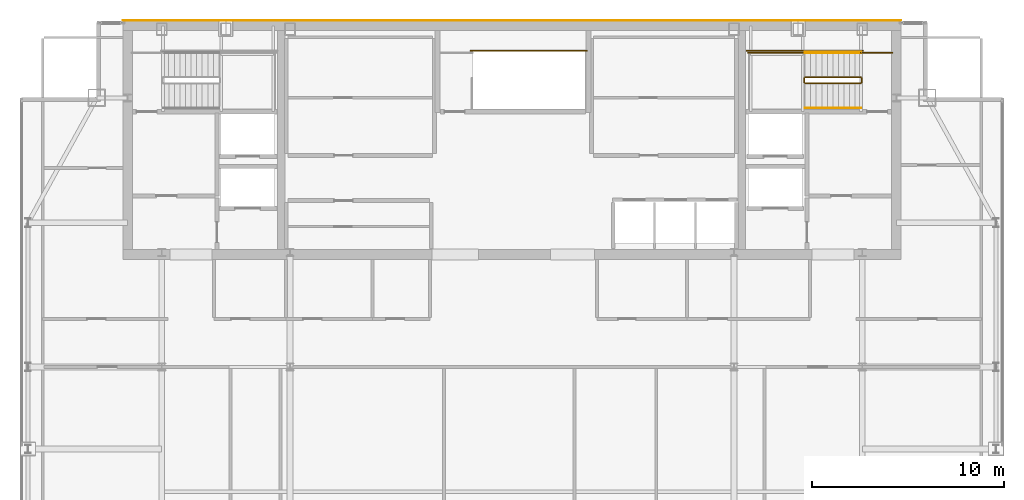
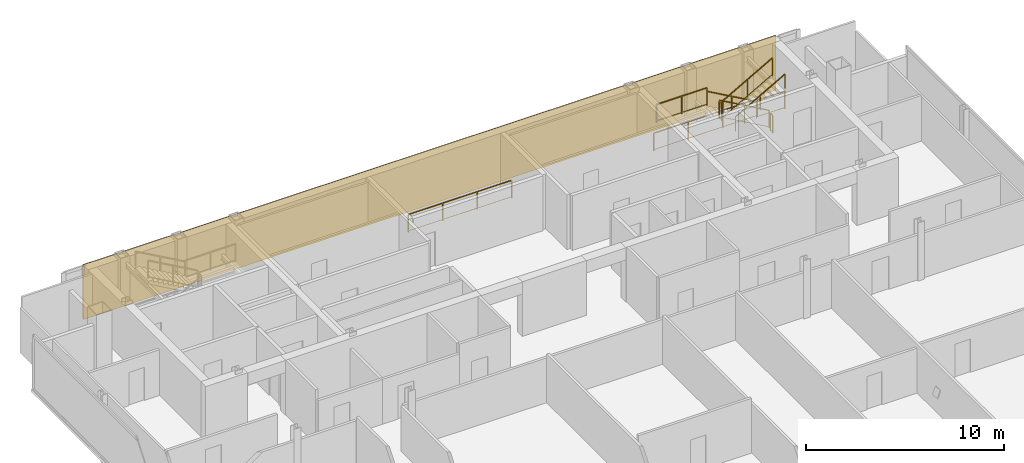
# One storey, part 24 of 24: 10 railings, 1 covering.
"""IFC4 building model written with IfcOpenShell, lengths in metres."""

from ifc_helpers import new_model, si_unit, direction, frame, origin, origin_2d, place, context, subcontext, project, spatial, polyline, rectangle, outline, extrude, material, layer, layer_set, type_object, element, save


model = new_model("IFC4")

# Units and contexts
model_context = context("Model", 3, precision=1e-05, world=origin(), true_north=direction((0.0, 1.0)))
body_context = subcontext(model_context, "Body", "Model", "MODEL_VIEW")
ifc_project = project(units=[si_unit("LENGTHUNIT", "METRE"), si_unit("AREAUNIT", "SQUARE_METRE"), si_unit("VOLUMEUNIT", "CUBIC_METRE"), si_unit("PLANEANGLEUNIT", "RADIAN"), si_unit("MASSUNIT", "GRAM", prefix="KILO")], contexts=[model_context])

# Site, building, storey
site_placement = place(None, origin())
site = spatial("IfcSite", under=ifc_project, at=site_placement, CompositionType="ELEMENT")
building_placement = place(site_placement, origin())
building = spatial("IfcBuilding", under=site, at=building_placement, Name="Khoronbel Lancet Exchange", CompositionType="ELEMENT")
storey_placement = place(building_placement, frame((0.0, 0.0, 347.0)))
storey = spatial("IfcBuildingStorey", under=building, at=storey_placement, Name="L90", CompositionType="ELEMENT", Elevation=347.0)

# Covering
ifc_material_1 = material(Name="Honed Egyptian Limestone & Bronze Rainscreen", Category="masonry")
ifc_layer = layer(ifc_material_1, 0.050048828125, Name="Honed Egyptian Limestone & Bronze Rainscreen")
ifc_layer_set = layer_set([ifc_layer], Name="Honed Egyptian Limestone & Bronze Rainscreen")
covering_type = type_object("IfcCoveringType", Name="COV-CLAD1", PredefinedType="CLADDING", material=ifc_layer_set)
covering_placement = place(storey_placement, origin())
element("IfcCovering", 1, at=covering_placement, inside=storey, type_object=covering_type, Name="Level L90 north rear-core stone and bronze rainscreen cladding", PredefinedType="CLADDING", context=body_context, shape_type="SweptSolid", body=[
    extrude(outline(polyline([(16.199951171875, 53.699951171875), (56.699951171875, 53.699951171875), (56.699951171875, 53.75), (16.199951171875, 53.75), (16.199951171875, 53.699951171875)])), origin(), (0.0, 0.0, 1.0), 3.3798828125),
])

# Railings
ifc_material_2 = material(Name="Painted Steel Balustrade", Category="steel")
railing_type_1 = type_object("IfcRailingType", Name="RL-STG110", PredefinedType="GUARDRAIL", material=ifc_material_2)
railing_1_placement = place(storey_placement, frame((54.60009765625, 50.77001953125, 0.16357421875)))
element("IfcRailing", 2, at=railing_1_placement, inside=storey, type_object=railing_type_1, Name="L90 ST2 stair guard 1", PredefinedType="GUARDRAIL", context=body_context, shape_type="SweptSolid", body=[
    extrude(rectangle(XDim=0.048095703125, YDim=0.048095703125, at=origin_2d()), frame((0.0, 0.0, 1.09619140625), z_axis=(-0.870914908162, 0.0, 0.491433843708), x_axis=(0.0, -1.0, 0.0)), (0.0, 0.0, 1.0), 3.330078125),
    extrude(rectangle(XDim=0.02392578125, YDim=0.02392578125, at=origin_2d()), frame((0.0, 0.0, 0.080078125), z_axis=(-0.870914908162, 0.0, 0.491433843708), x_axis=(0.0, -1.0, 0.0)), (0.0, 0.0, 1.0), 3.330078125),
    extrude(rectangle(XDim=0.0419921875, YDim=0.0419921875, at=origin_2d()), origin(), (0.0, 0.0, 1.0), 1.072021484375),
    extrude(rectangle(XDim=0.0419921875, YDim=0.0419921875, at=origin_2d()), frame((-1.4501953125, 0.0, 0.818359375)), (0.0, 0.0, 1.0), 1.072021484375),
    extrude(rectangle(XDim=0.0419921875, YDim=0.0419921875, at=origin_2d()), frame((-2.900146484375, 0.0, 1.636474609375)), (0.0, 0.0, 1.0), 1.072021484375),
])
railing_2_placement = place(storey_placement, frame((51.64990234375, 50.719970703125, 1.800048828125)))
element("IfcRailing", 3, at=railing_2_placement, inside=storey, type_object=railing_type_1, Name="L90 ST2 stair guard 2", PredefinedType="GUARDRAIL", context=body_context, shape_type="SweptSolid", body=[
    extrude(rectangle(XDim=0.048095703125, YDim=0.048095703125, at=origin_2d()), frame((0.0, 0.0, 1.09619140625), z_axis=(0.0, -1.0, 0.0), x_axis=(1.0, 0.0, 0.0)), (0.0, 0.0, 1.0), 0.219970703125),
    extrude(rectangle(XDim=0.02392578125, YDim=0.02392578125, at=origin_2d()), frame((0.0, 0.0, 0.080078125), z_axis=(0.0, -1.0, 0.0), x_axis=(1.0, 0.0, 0.0)), (0.0, 0.0, 1.0), 0.219970703125),
    extrude(rectangle(XDim=0.0419921875, YDim=0.0419921875, at=origin_2d()), origin(), (0.0, 0.0, 1.0), 1.072021484375),
    extrude(rectangle(XDim=0.0419921875, YDim=0.0419921875, at=origin_2d()), frame((0.0, -0.219970703125, 0.0)), (0.0, 0.0, 1.0), 1.072021484375),
])
railing_3_placement = place(storey_placement, frame((51.699951171875, 52.050048828125, 1.800048828125)))
element("IfcRailing", 4, at=railing_3_placement, inside=storey, type_object=railing_type_1, Name="L90 ST2 stair guard 3", PredefinedType="GUARDRAIL", context=body_context, shape_type="SweptSolid", body=[
    extrude(rectangle(XDim=0.048095703125, YDim=0.048095703125, at=origin_2d()), frame((0.0, 0.0, 1.09619140625), z_axis=(-1.0, 0.0, 0.0), x_axis=(0.0, -1.0, 0.0)), (0.0, 0.0, 1.0), 2.949951171875),
    extrude(rectangle(XDim=0.02392578125, YDim=0.02392578125, at=origin_2d()), frame((0.0, 0.0, 0.080078125), z_axis=(-1.0, 0.0, 0.0), x_axis=(0.0, -1.0, 0.0)), (0.0, 0.0, 1.0), 2.949951171875),
    extrude(rectangle(XDim=0.0419921875, YDim=0.0419921875, at=origin_2d()), origin(), (0.0, 0.0, 1.0), 1.072021484375),
    extrude(rectangle(XDim=0.0419921875, YDim=0.0419921875, at=origin_2d()), frame((-1.47509765625, 0.0, 0.0)), (0.0, 0.0, 1.0), 1.072021484375),
    extrude(rectangle(XDim=0.0419921875, YDim=0.0419921875, at=origin_2d()), frame((-2.949951171875, 0.0, 0.0)), (0.0, 0.0, 1.0), 1.072021484375),
])
railing_4_placement = place(storey_placement, frame((51.699951171875, 50.449951171875, 1.963623046875)))
element("IfcRailing", 5, at=railing_4_placement, inside=storey, type_object=railing_type_1, Name="L90 ST2 stair guard 4", PredefinedType="GUARDRAIL", context=body_context, shape_type="SweptSolid", body=[
    extrude(rectangle(XDim=0.048095703125, YDim=0.048095703125, at=origin_2d()), frame((0.0, 0.0, 1.09619140625), z_axis=(0.870914908162, 0.0, 0.491433843708), x_axis=(0.0, 1.0, 0.0)), (0.0, 0.0, 1.0), 3.330078125),
    extrude(rectangle(XDim=0.02392578125, YDim=0.02392578125, at=origin_2d()), frame((0.0, 0.0, 0.080078125), z_axis=(0.870914908162, 0.0, 0.491433843708), x_axis=(0.0, 1.0, 0.0)), (0.0, 0.0, 1.0), 3.330078125),
    extrude(rectangle(XDim=0.0419921875, YDim=0.0419921875, at=origin_2d()), origin(), (0.0, 0.0, 1.0), 1.072021484375),
    extrude(rectangle(XDim=0.0419921875, YDim=0.0419921875, at=origin_2d()), frame((1.4501953125, 0.0, 0.818359375)), (0.0, 0.0, 1.0), 1.072021484375),
    extrude(rectangle(XDim=0.0419921875, YDim=0.0419921875, at=origin_2d()), frame((2.900146484375, 0.0, 1.636474609375)), (0.0, 0.0, 1.0), 1.072021484375),
])
railing_5_placement = place(storey_placement, frame((54.64990234375, 50.719970703125, 0.0)))
element("IfcRailing", 6, at=railing_5_placement, inside=storey, type_object=railing_type_1, Name="L90 ST2 stair guard 5", PredefinedType="GUARDRAIL", context=body_context, shape_type="SweptSolid", body=[
    extrude(rectangle(XDim=0.048095703125, YDim=0.048095703125, at=origin_2d()), frame((0.0, 0.0, 1.09619140625), z_axis=(0.0, -1.0, 0.0), x_axis=(1.0, 0.0, 0.0)), (0.0, 0.0, 1.0), 0.219970703125),
    extrude(rectangle(XDim=0.02392578125, YDim=0.02392578125, at=origin_2d()), frame((0.0, 0.0, 0.080078125), z_axis=(0.0, -1.0, 0.0), x_axis=(1.0, 0.0, 0.0)), (0.0, 0.0, 1.0), 0.219970703125),
    extrude(rectangle(XDim=0.0419921875, YDim=0.0419921875, at=origin_2d()), origin(), (0.0, 0.0, 1.0), 1.072021484375),
    extrude(rectangle(XDim=0.0419921875, YDim=0.0419921875, at=origin_2d()), frame((0.0, -0.219970703125, 0.0)), (0.0, 0.0, 1.0), 1.072021484375),
])
railing_6_placement = place(storey_placement, frame((56.25, 52.050048828125, 0.0)))
element("IfcRailing", 7, at=railing_6_placement, inside=storey, type_object=railing_type_1, Name="L90 ST2 stair guard 6", PredefinedType="GUARDRAIL", context=body_context, shape_type="SweptSolid", body=[
    extrude(rectangle(XDim=0.048095703125, YDim=0.048095703125, at=origin_2d()), frame((0.0, 0.0, 1.09619140625), z_axis=(-1.0, 0.0, 0.0), x_axis=(0.0, -1.0, 0.0)), (0.0, 0.0, 1.0), 1.64990234375),
    extrude(rectangle(XDim=0.02392578125, YDim=0.02392578125, at=origin_2d()), frame((0.0, 0.0, 0.080078125), z_axis=(-1.0, 0.0, 0.0), x_axis=(0.0, -1.0, 0.0)), (0.0, 0.0, 1.0), 1.64990234375),
    extrude(rectangle(XDim=0.0419921875, YDim=0.0419921875, at=origin_2d()), origin(), (0.0, 0.0, 1.0), 1.072021484375),
    extrude(rectangle(XDim=0.0419921875, YDim=0.0419921875, at=origin_2d()), frame((-1.64990234375, 0.0, 0.0)), (0.0, 0.0, 1.0), 1.072021484375),
])
railing_7_placement = place(storey_placement, frame((54.699951171875, 52.14990234375, 0.0)))
element("IfcRailing", 8, at=railing_7_placement, inside=storey, type_object=railing_type_1, Name="L90 ST2 stair guard 7", PredefinedType="GUARDRAIL", context=body_context, shape_type="SweptSolid", body=[
    extrude(rectangle(XDim=0.048095703125, YDim=0.048095703125, at=origin_2d()), frame((0.0, 0.0, 1.09619140625), z_axis=(-1.0, 0.0, 0.0), x_axis=(0.0, -1.0, 0.0)), (0.0, 0.0, 1.0), 6.050048828125),
    extrude(rectangle(XDim=0.02392578125, YDim=0.02392578125, at=origin_2d()), frame((0.0, 0.0, 0.080078125), z_axis=(-1.0, 0.0, 0.0), x_axis=(0.0, -1.0, 0.0)), (0.0, 0.0, 1.0), 6.050048828125),
    extrude(rectangle(XDim=0.0419921875, YDim=0.0419921875, at=origin_2d()), origin(), (0.0, 0.0, 1.0), 1.072021484375),
    extrude(rectangle(XDim=0.0419921875, YDim=0.0419921875, at=origin_2d()), frame((-2.0166015625, 0.0, 0.0)), (0.0, 0.0, 1.0), 1.072021484375),
    extrude(rectangle(XDim=0.0419921875, YDim=0.0419921875, at=origin_2d()), frame((-4.033447265625, 0.0, 0.0)), (0.0, 0.0, 1.0), 1.072021484375),
    extrude(rectangle(XDim=0.0419921875, YDim=0.0419921875, at=origin_2d()), frame((-6.050048828125, 0.0, 0.0)), (0.0, 0.0, 1.0), 1.072021484375),
])
railing_8_placement = place(storey_placement, frame((34.300048828125, 52.14990234375, 0.0)))
element("IfcRailing", 9, at=railing_8_placement, inside=storey, type_object=railing_type_1, Name="L90 ST3 top well guard 2", PredefinedType="GUARDRAIL", context=body_context, shape_type="SweptSolid", body=[
    extrude(rectangle(XDim=0.048095703125, YDim=0.048095703125, at=origin_2d()), frame((0.0, 0.0, 1.09619140625), z_axis=(1.0, 0.0, 0.0), x_axis=(0.0, 1.0, 0.0)), (0.0, 0.0, 1.0), 6.050048828125),
    extrude(rectangle(XDim=0.02392578125, YDim=0.02392578125, at=origin_2d()), frame((0.0, 0.0, 0.080078125), z_axis=(1.0, 0.0, 0.0), x_axis=(0.0, 1.0, 0.0)), (0.0, 0.0, 1.0), 6.050048828125),
    extrude(rectangle(XDim=0.0419921875, YDim=0.0419921875, at=origin_2d()), origin(), (0.0, 0.0, 1.0), 1.072021484375),
    extrude(rectangle(XDim=0.0419921875, YDim=0.0419921875, at=origin_2d()), frame((2.0166015625, 0.0, 0.0)), (0.0, 0.0, 1.0), 1.072021484375),
    extrude(rectangle(XDim=0.0419921875, YDim=0.0419921875, at=origin_2d()), frame((4.033447265625, 0.0, 0.0)), (0.0, 0.0, 1.0), 1.072021484375),
    extrude(rectangle(XDim=0.0419921875, YDim=0.0419921875, at=origin_2d()), frame((6.050048828125, 0.0, 0.0)), (0.0, 0.0, 1.0), 1.072021484375),
])
ifc_material_3 = material(Name="Brushed Stainless Steel 316", Category="steel")
railing_type_2 = type_object("IfcRailingType", Name="RL-STH92", PredefinedType="HANDRAIL", material=ifc_material_3)
railing_9_placement = place(storey_placement, frame((54.60009765625, 52.050048828125, 0.16357421875)))
element("IfcRailing", 10, at=railing_9_placement, inside=storey, type_object=railing_type_2, Name="L90 ST2 stair handrail 1", PredefinedType="HANDRAIL", context=body_context, shape_type="SweptSolid", body=[
    extrude(rectangle(XDim=0.048095703125, YDim=0.048095703125, at=origin_2d()), frame((0.0, 0.0, 0.8759765625), z_axis=(-0.870914908162, 0.0, 0.491433843708), x_axis=(0.0, -1.0, 0.0)), (0.0, 0.0, 1.0), 3.330078125),
    extrude(rectangle(XDim=0.0419921875, YDim=0.0419921875, at=origin_2d()), origin(), (0.0, 0.0, 1.0), 0.851806640625),
    extrude(rectangle(XDim=0.0419921875, YDim=0.0419921875, at=origin_2d()), frame((-1.4501953125, 0.0, 0.818359375)), (0.0, 0.0, 1.0), 0.851806640625),
    extrude(rectangle(XDim=0.0419921875, YDim=0.0419921875, at=origin_2d()), frame((-2.900146484375, 0.0, 1.636474609375)), (0.0, 0.0, 1.0), 0.851806640625),
])
railing_10_placement = place(storey_placement, frame((51.699951171875, 49.169921875, 1.963623046875)))
element("IfcRailing", 11, at=railing_10_placement, inside=storey, type_object=railing_type_2, Name="L90 ST2 stair handrail 2", PredefinedType="HANDRAIL", context=body_context, shape_type="SweptSolid", body=[
    extrude(rectangle(XDim=0.048095703125, YDim=0.048095703125, at=origin_2d()), frame((0.0, 0.0, 0.8759765625), z_axis=(0.870914908162, 0.0, 0.491433843708), x_axis=(0.0, 1.0, 0.0)), (0.0, 0.0, 1.0), 3.330078125),
    extrude(rectangle(XDim=0.0419921875, YDim=0.0419921875, at=origin_2d()), origin(), (0.0, 0.0, 1.0), 0.851806640625),
    extrude(rectangle(XDim=0.0419921875, YDim=0.0419921875, at=origin_2d()), frame((1.4501953125, 0.0, 0.818359375)), (0.0, 0.0, 1.0), 0.851806640625),
    extrude(rectangle(XDim=0.0419921875, YDim=0.0419921875, at=origin_2d()), frame((2.900146484375, 0.0, 1.636474609375)), (0.0, 0.0, 1.0), 0.851806640625),
])

save(model, "model.ifc")
